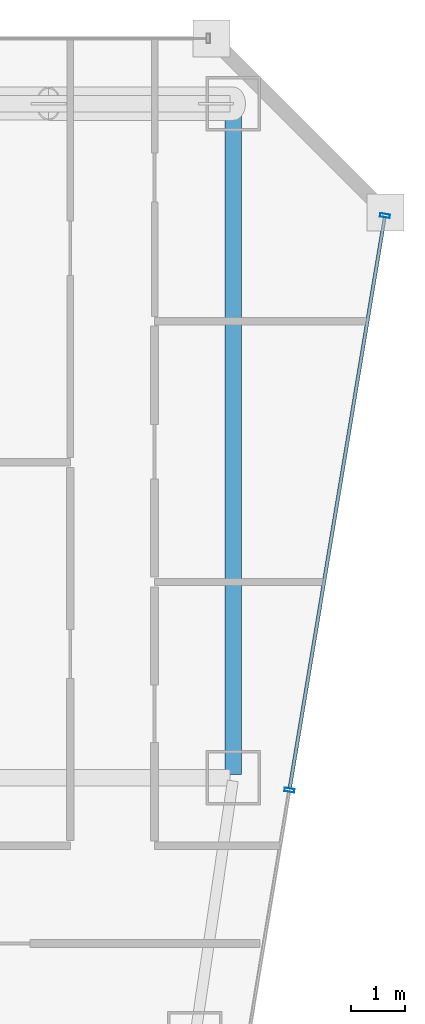
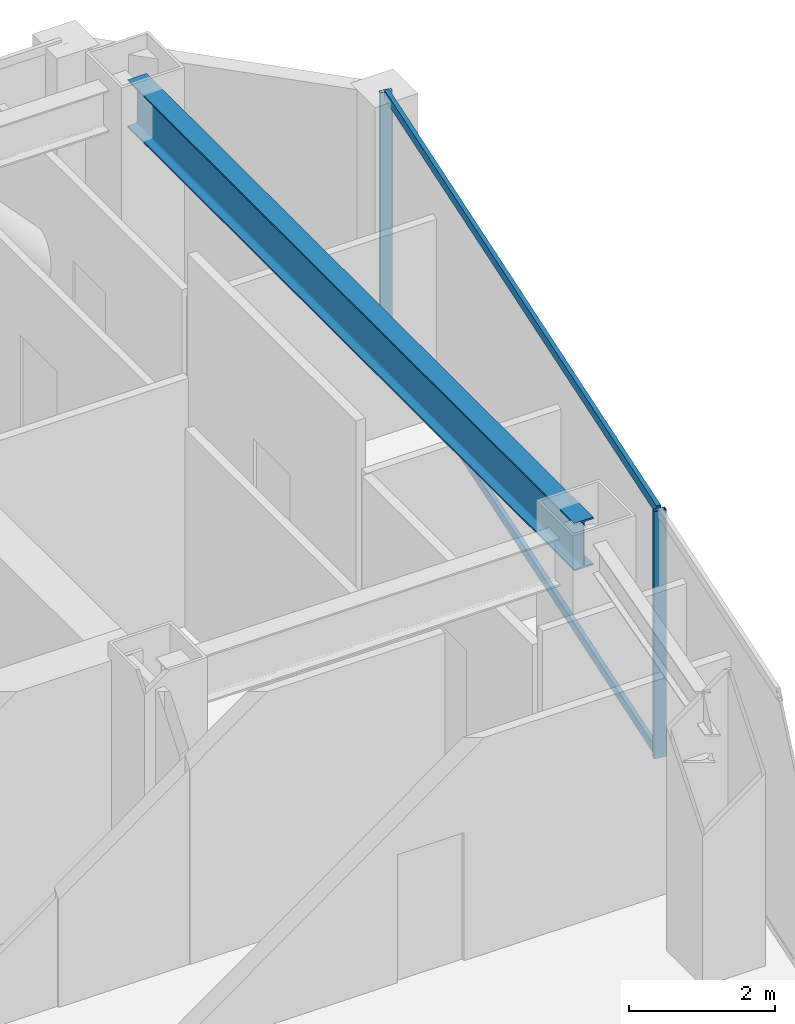
# One storey, part 27 of 37: 4 members, 1 beam, 1 element without a shape of its own.
"""IFC4 building model written with IfcOpenShell, lengths in metres."""

from ifc_helpers import new_model, si_unit, direction, frame, origin, origin_2d, place, context, subcontext, project, spatial, hollow_rectangle, i_section, extrude, material, material_profile, profile_set, type_object, element, aggregate, save


model = new_model("IFC4")

# Units and contexts
model_context = context("Model", 3, precision=1e-05, world=origin(), true_north=direction((0.0, 1.0)))
body_context = subcontext(model_context, "Body", "Model", "MODEL_VIEW")
ifc_project = project(units=[si_unit("LENGTHUNIT", "METRE"), si_unit("AREAUNIT", "SQUARE_METRE"), si_unit("VOLUMEUNIT", "CUBIC_METRE"), si_unit("PLANEANGLEUNIT", "RADIAN"), si_unit("MASSUNIT", "GRAM", prefix="KILO")], contexts=[model_context])

# Site, building, storey
site_placement = place(None, origin())
site = spatial("IfcSite", under=ifc_project, at=site_placement, CompositionType="ELEMENT")
building_placement = place(site_placement, origin())
building = spatial("IfcBuilding", under=site, at=building_placement, Name="Saevonmaru Cultural Tower", CompositionType="ELEMENT")
storey_placement = place(building_placement, frame((0.0, 0.0, 106.0)))
storey = spatial("IfcBuildingStorey", under=building, at=storey_placement, Name="L22", CompositionType="ELEMENT", Elevation=106.0)

# Beam
ifc_material_1 = material(Name="Steel SM420", Category="steel")
ifc_material_profile_1 = material_profile(ifc_material_1, i_section(OverallWidth=0.300048828125, OverallDepth=0.800048828125, WebThickness=0.013916015625, FlangeThickness=0.02587890625, FilletRadius=0.028076171875, at=origin_2d()), Name="H-800x300x14x26")
ifc_profile_set_1 = profile_set([ifc_material_profile_1], Name="Steel SM420")
beam_type = type_object("IfcBeamType", Name="BM-G-H800", PredefinedType="BEAM", material=ifc_profile_set_1)
beam_placement = place(storey_placement, frame((53.199951171875, 54.739990234375, 3.75), z_axis=(0.0, -1.0, 0.0), x_axis=(1.0, 0.0, 0.0)))
element("IfcBeam", 1, at=beam_placement, inside=storey, type_object=beam_type, Name="L22 Spine Transverse Girder E", PredefinedType="BEAM", context=body_context, shape_type="SweptSolid", body=[
    extrude(i_section(OverallWidth=0.300048828125, OverallDepth=0.800048828125, WebThickness=0.013916015625, FlangeThickness=0.02587890625, FilletRadius=0.028076171875, at=origin_2d()), origin(), (0.0, 0.0, 1.0), 12.280029296875),
])

# Curtain wall, members
ifc_material_2 = material(Name="Satin Bronze Anodised Aluminium", Category="aluminium")
curtain_wall_type = type_object("IfcCurtainWallType", Name="CW-TYP-A", PredefinedType="NOTDEFINED", material=ifc_material_2)
curtain_wall_placement = place(storey_placement, origin())
curtain_wall = element("IfcCurtainWall", 2, at=curtain_wall_placement, inside=storey, type_object=curtain_wall_type, Name="L22 Unitised Curtain Wall E8", PredefinedType="NOTDEFINED")
ifc_material_profile_2 = material_profile(ifc_material_2, hollow_rectangle(XDim=0.06494140625, YDim=0.179931640625, WallThickness=0.00390625, at=origin_2d()), Name="ALU-MULL-180x65x4")
ifc_profile_set_2 = profile_set([ifc_material_profile_2], Name="Satin Bronze Anodised Aluminium")
member_type_1 = type_object("IfcMemberType", Name="ML-CW-180x65", PredefinedType="MULLION", material=ifc_profile_set_2)
member_1_placement = place(storey_placement, frame((54.23291015625, 42.17041015625, 0.0), z_axis=(0.0, 0.0, 1.0), x_axis=(0.163998702345, 0.986460554523, 0.0)))
member_1 = element("IfcMember", 3, at=member_1_placement, type_object=member_type_1, Name="CW-TW-L22-E8 mullion 4", PredefinedType="MULLION", context=body_context, shape_type="SweptSolid", body=[
    extrude(hollow_rectangle(XDim=0.06494140625, YDim=0.179931640625, WallThickness=0.00390625, at=origin_2d()), origin(), (0.0, 0.0, 1.0), 4.14990234375),
])
member_2_placement = place(storey_placement, frame((55.990234375, 52.74072265625, 0.0), z_axis=(0.0, 0.0, 1.0), x_axis=(0.163998702345, 0.986460554523, 0.0)))
member_2 = element("IfcMember", 4, at=member_2_placement, type_object=member_type_1, Name="CW-TW-L22-E8 mullion 5", PredefinedType="MULLION", context=body_context, shape_type="SweptSolid", body=[
    extrude(hollow_rectangle(XDim=0.06494140625, YDim=0.179931640625, WallThickness=0.00390625, at=origin_2d()), origin(), (0.0, 0.0, 1.0), 4.14990234375),
])
ifc_material_profile_3 = material_profile(ifc_material_2, hollow_rectangle(XDim=0.06494140625, YDim=0.14990234375, WallThickness=0.00390625, at=origin_2d()), Name="ALU-TRAN-150x65x4")
ifc_profile_set_3 = profile_set([ifc_material_profile_3], Name="Satin Bronze Anodised Aluminium")
member_type_2 = type_object("IfcMemberType", Name="TR-CW-150x65", PredefinedType="USERDEFINED", material=ifc_profile_set_3)
member_3_placement = place(storey_placement, frame((54.23828125, 42.202392578125, 0.032470703125), z_axis=(0.163990079074, 0.9864619881, 0.0), x_axis=(-0.9864619881, 0.163990079074, 0.0)))
member_3 = element("IfcMember", 5, at=member_3_placement, type_object=member_type_2, Name="CW-TW-L22-E8 transom 4.1", ObjectType="TRANSOM", PredefinedType="USERDEFINED", context=body_context, shape_type="SweptSolid", body=[
    extrude(hollow_rectangle(XDim=0.06494140625, YDim=0.14990234375, WallThickness=0.00390625, at=origin_2d()), origin(), (0.0, 0.0, 1.0), 10.650634765625),
])
member_4_placement = place(storey_placement, frame((54.23828125, 42.202392578125, 4.117431640625), z_axis=(0.163990079074, 0.9864619881, 0.0), x_axis=(-0.9864619881, 0.163990079074, 0.0)))
member_4 = element("IfcMember", 6, at=member_4_placement, type_object=member_type_2, Name="CW-TW-L22-E8 transom 4.2", ObjectType="TRANSOM", PredefinedType="USERDEFINED", context=body_context, shape_type="SweptSolid", body=[
    extrude(hollow_rectangle(XDim=0.06494140625, YDim=0.14990234375, WallThickness=0.00390625, at=origin_2d()), origin(), (0.0, 0.0, 1.0), 10.650634765625),
])
aggregate(curtain_wall, [member_1, member_2, member_3, member_4])

save(model, "model.ifc")
